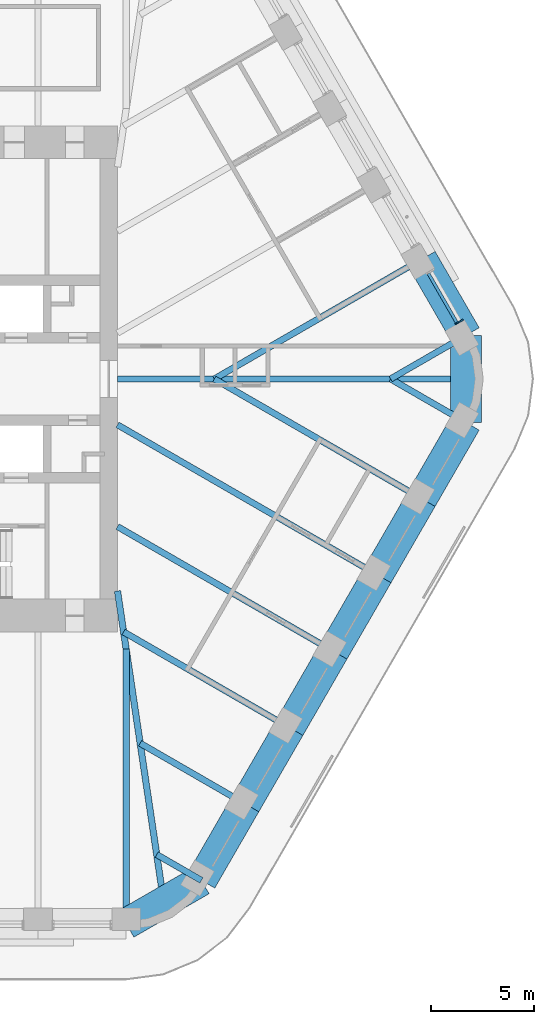
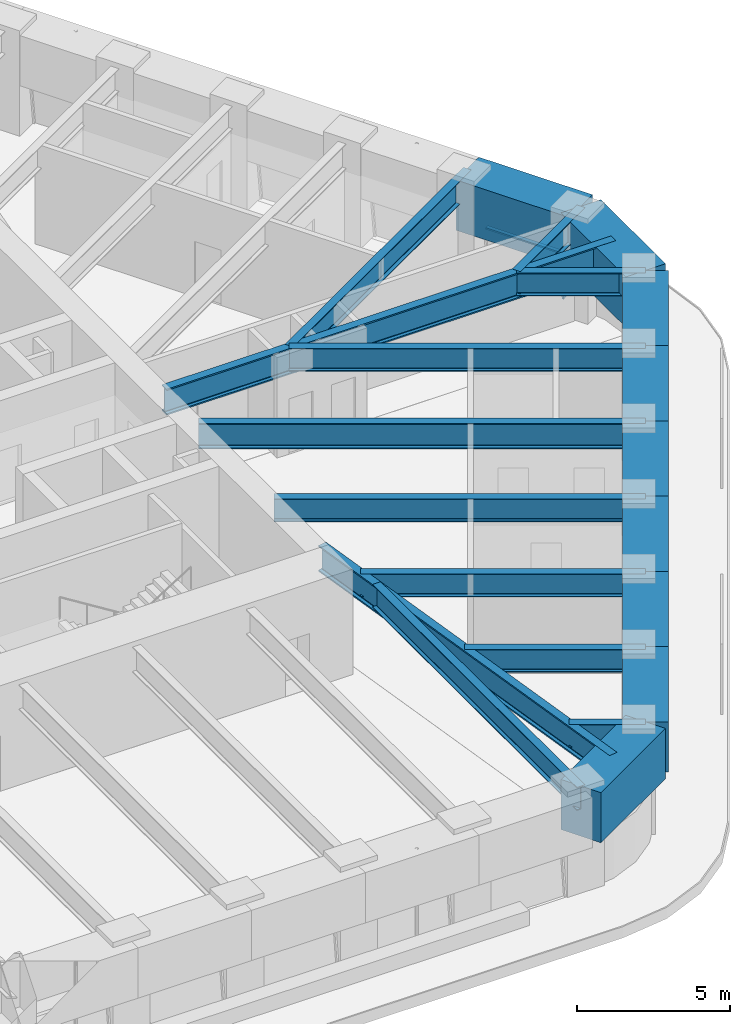
# One storey, part 5 of 18: 21 beams, 2 members, 1 element without a shape of its own.
"""IFC4 building model written with IfcOpenShell, lengths in metres."""

from ifc_helpers import new_model, si_unit, direction, frame, origin, origin_2d, place, context, subcontext, project, spatial, rectangle, i_section, extrude, material, material_profile, profile_set, type_object, element, aggregate, save


model = new_model("IFC4")

# Units and contexts
model_context = context("Model", 3, precision=1e-05, world=origin(), true_north=direction((0.0, 1.0)))
body_context = subcontext(model_context, "Body", "Model", "MODEL_VIEW")
ifc_project = project(units=[si_unit("LENGTHUNIT", "METRE"), si_unit("AREAUNIT", "SQUARE_METRE"), si_unit("VOLUMEUNIT", "CUBIC_METRE"), si_unit("PLANEANGLEUNIT", "RADIAN"), si_unit("MASSUNIT", "GRAM", prefix="KILO")], contexts=[model_context])

# Site, building, storey
site_placement = place(None, origin())
site = spatial("IfcSite", under=ifc_project, at=site_placement, CompositionType="ELEMENT")
building_placement = place(site_placement, origin())
building = spatial("IfcBuilding", under=site, at=building_placement, Name="Tarfa Lantern Tower", CompositionType="ELEMENT")
storey_placement = place(building_placement, frame((0.0, 0.0, 319.89990234375)))
storey = spatial("IfcBuildingStorey", under=building, at=storey_placement, Name="L72", CompositionType="ELEMENT", Elevation=319.89990234375)

# Curtain wall, members
ifc_material_1 = material(Name="Aluminium framed curtain wall", Category="aluminium")
curtain_wall_type = type_object("IfcCurtainWallType", Name="CW4 CANTED GLAZING EXECUTIVE ZONE 2000", PredefinedType="USERDEFINED", material=ifc_material_1)
curtain_wall_placement = place(storey_placement, origin())
curtain_wall = element("IfcCurtainWall", 1, at=curtain_wall_placement, inside=storey, type_object=curtain_wall_type, Name="CW4 NE L72", ObjectType="CURTAIN WALL", PredefinedType="USERDEFINED")
ifc_material_2 = material(Name="Aluminium mullion", Category="aluminium")
ifc_material_profile_1 = material_profile(ifc_material_2, rectangle(XDim=0.06494140625, YDim=0.199951171875, at=origin_2d()), Name="AL MULLION 65x200")
ifc_profile_set_1 = profile_set([ifc_material_profile_1], Name="Aluminium mullion")
member_type_1 = type_object("IfcMemberType", Name="CWM1 MULLION 65x200", PredefinedType="MULLION", material=ifc_profile_set_1)
member_1_placement = place(storey_placement, frame((29.13623046875, 2.83447265625, 0.0), z_axis=(-0.107320246625, -0.062018020623, 0.992288329964), x_axis=(0.500342721131, -0.865827443207, 0.0)))
member_1 = element("IfcMember", 2, at=member_1_placement, type_object=member_type_1, Name="CW4 mullion 1", PredefinedType="MULLION", context=body_context, shape_type="SweptSolid", body=[
    extrude(rectangle(XDim=0.06494140625, YDim=0.199951171875, at=origin_2d()), origin(), (0.0, 0.0, 1.0), 2.015625),
])
ifc_material_3 = material(Name="Aluminium transom", Category="aluminium")
ifc_material_profile_2 = material_profile(ifc_material_3, rectangle(XDim=0.14990234375, YDim=0.06494140625, at=origin_2d()), Name="AL TRANSOM 150x65")
ifc_profile_set_2 = profile_set([ifc_material_profile_2], Name="Aluminium transom")
member_type_2 = type_object("IfcMemberType", Name="CWT1 TRANSOM 150x65", PredefinedType="USERDEFINED", material=ifc_profile_set_2)
member_2_placement = place(storey_placement, frame((28.9072265625, 2.739501953125, 1.967529296875), z_axis=(-0.500060322201, 0.865990573944, 0.0), x_axis=(-0.865990573944, -0.500060322201, 0.0)))
member_2 = element("IfcMember", 3, at=member_2_placement, type_object=member_type_2, Name="CW4 transom 1.2", ObjectType="TRANSOM", PredefinedType="USERDEFINED", context=body_context, shape_type="SweptSolid", body=[
    extrude(rectangle(XDim=0.14990234375, YDim=0.06494140625, at=origin_2d()), origin(), (0.0, 0.0, 1.0), 2.752197265625),
])
aggregate(curtain_wall, [member_1, member_2])

# Beams
ifc_material_4 = material(Name="Concrete C80/95", Category="concrete")
ifc_material_profile_3 = material_profile(ifc_material_4, rectangle(XDim=1.5, YDim=2.0, at=origin_2d()), Name="RC 1500x2000")
ifc_profile_set_3 = profile_set([ifc_material_profile_3], Name="Concrete C80/95")
beam_type_1 = type_object("IfcBeamType", Name="RB3 RC 1500x2000", PredefinedType="BEAM", material=ifc_profile_set_3)
beam_1_placement = place(storey_placement, frame((29.3466796875, 2.110107421875, 3.0), z_axis=(-0.499984039138, 0.866034618596, 0.0), x_axis=(-0.866034618596, -0.499984039138, 0.0)))
element("IfcBeam", 4, at=beam_1_placement, inside=storey, type_object=beam_type_1, Name="Edge beam NE0", PredefinedType="BEAM", context=body_context, shape_type="SweptSolid", body=[
    extrude(rectangle(XDim=1.5, YDim=2.0, at=origin_2d()), origin(), (0.0, 0.0, 1.0), 4.281982421875),
])
beam_2_placement = place(storey_placement, frame((12.845947265625, -26.469970703125, 3.0), z_axis=(0.866048788483, 0.499959494327, 0.0), x_axis=(-0.499959494327, 0.866048788483, 0.0)))
element("IfcBeam", 5, at=beam_2_placement, inside=storey, type_object=beam_type_1, Name="Edge beam S6", PredefinedType="BEAM", context=body_context, shape_type="SweptSolid", body=[
    extrude(rectangle(XDim=1.5, YDim=2.0, at=origin_2d()), origin(), (0.0, 0.0, 1.0), 4.219970703125),
])
for number, where, z_axis, x_axis, name in (
    (6, (16.500732421875, -24.360107421875, 3.0), (0.499959351497, 0.866048870937, 0.0), (-0.866048870937, 0.499959351497, 0.0), "Edge beam SE0"),
    (7, (18.6416015625, -20.651611328125, 3.0), (0.500026801138, 0.866009929587, 0.0), (-0.866009929587, 0.500026801138, 0.0), "Edge beam SE1"),
    (8, (20.78271484375, -16.943359375, 3.0), (0.499984039138, 0.866034618596, 0.0), (-0.866034618596, 0.499984039138, 0.0), "Edge beam SE2"),
):
    element("IfcBeam", number, at=place(storey_placement, frame(where, z_axis=z_axis, x_axis=x_axis)), inside=storey, type_object=beam_type_1, Name=name, PredefinedType="BEAM", context=body_context, shape_type="SweptSolid", body=[
        extrude(rectangle(XDim=1.5, YDim=2.0, at=origin_2d()), origin(), (0.0, 0.0, 1.0), 4.281982421875),
    ])
beam_3_placement = place(storey_placement, frame((22.923583984375, -13.235107421875, 3.0), z_axis=(0.500002112793, 0.866024183959, 0.0), x_axis=(-0.866024183959, 0.500002112793, 0.0)))
element("IfcBeam", 9, at=beam_3_placement, inside=storey, type_object=beam_type_1, Name="Edge beam SE3", PredefinedType="BEAM", context=body_context, shape_type="SweptSolid", body=[
    extrude(rectangle(XDim=1.5, YDim=2.0, at=origin_2d()), origin(), (0.0, 0.0, 1.0), 4.2822265625),
])
for number, where, z_axis, x_axis, name in (
    (10, (25.064697265625, -9.526611328125, 3.0), (0.500026801138, 0.866009929587, 0.0), (-0.866009929587, 0.500026801138, 0.0), "Edge beam SE4"),
    (11, (27.205810546875, -5.818359375, 3.0), (0.499984039138, 0.866034618596, 0.0), (-0.866034618596, 0.499984039138, 0.0), "Edge beam SE5"),
):
    element("IfcBeam", number, at=place(storey_placement, frame(where, z_axis=z_axis, x_axis=x_axis)), inside=storey, type_object=beam_type_1, Name=name, PredefinedType="BEAM", context=body_context, shape_type="SweptSolid", body=[
        extrude(rectangle(XDim=1.5, YDim=2.0, at=origin_2d()), origin(), (0.0, 0.0, 1.0), 4.281982421875),
    ])
beam_4_placement = place(storey_placement, frame((29.3466796875, -2.110107421875, 3.0), z_axis=(0.0, 1.0, 0.0), x_axis=(-1.0, 0.0, 0.0)))
element("IfcBeam", 12, at=beam_4_placement, inside=storey, type_object=beam_type_1, Name="Edge beam SE6", PredefinedType="BEAM", context=body_context, shape_type="SweptSolid", body=[
    extrude(rectangle(XDim=1.5, YDim=2.0, at=origin_2d()), origin(), (0.0, 0.0, 1.0), 4.22021484375),
])
ifc_material_5 = material(Name="Steel S460M", Category="steel")
ifc_material_profile_4 = material_profile(ifc_material_5, i_section(OverallWidth=0.302001953125, OverallDepth=1.008056640625, WebThickness=0.02099609375, FlangeThickness=0.0400390625, FilletRadius=0.030029296875, at=origin_2d()), Name="UB1016x305x349")
ifc_profile_set_4 = profile_set([ifc_material_profile_4], Name="Steel S460M")
beam_type_2 = type_object("IfcBeamType", Name="UB1016x305x349", PredefinedType="BEAM", material=ifc_profile_set_4)
beam_5_placement = place(storey_placement, frame((25.064697265625, -9.526611328125, 3.49609375), z_axis=(-0.866029591389, 0.499992746786, 0.0), x_axis=(-0.499992746786, -0.866029591389, 0.0)))
element("IfcBeam", 13, at=beam_5_placement, inside=storey, type_object=beam_type_2, Name="Floor beam SE4", PredefinedType="BEAM", context=body_context, shape_type="SweptSolid", body=[
    extrude(i_section(OverallWidth=0.302001953125, OverallDepth=1.008056640625, WebThickness=0.02099609375, FlangeThickness=0.0400390625, FilletRadius=0.030029296875, at=origin_2d()), origin(), (0.0, 0.0, 1.0), 14.594970703125),
])
ifc_material_profile_5 = material_profile(ifc_material_5, i_section(OverallWidth=0.30859375, OverallDepth=1.036376953125, WebThickness=0.030029296875, FlangeThickness=0.05419921875, FilletRadius=0.030029296875, at=origin_2d()), Name="UB1016x305x487")
ifc_profile_set_5 = profile_set([ifc_material_profile_5], Name="Steel S460M")
beam_type_3 = type_object("IfcBeamType", Name="UB1016x305x487", PredefinedType="BEAM", material=ifc_profile_set_5)
beam_6_placement = place(storey_placement, frame((12.425048828125, 0.0, 3.48193359375), z_axis=(1.0, 0.0, 0.0), x_axis=(0.0, 1.0, 0.0)))
element("IfcBeam", 14, at=beam_6_placement, inside=storey, type_object=beam_type_3, Name="Hip girder E", PredefinedType="BEAM", context=body_context, shape_type="SweptSolid", body=[
    extrude(i_section(OverallWidth=0.30859375, OverallDepth=1.036376953125, WebThickness=0.030029296875, FlangeThickness=0.05419921875, FilletRadius=0.030029296875, at=origin_2d()), origin(), (0.0, 0.0, 1.0), 16.921630859375),
])
beam_7_placement = place(storey_placement, frame((12.425048828125, -10.300048828125, 3.48193359375), z_axis=(0.147127069073, -0.989117599452, 0.0), x_axis=(0.989117599452, 0.147127069073, 0.0)))
element("IfcBeam", 15, at=beam_7_placement, inside=storey, type_object=beam_type_3, Name="Hip girder SE", PredefinedType="BEAM", context=body_context, shape_type="SweptSolid", body=[
    extrude(i_section(OverallWidth=0.30859375, OverallDepth=1.036376953125, WebThickness=0.030029296875, FlangeThickness=0.05419921875, FilletRadius=0.030029296875, at=origin_2d()), origin(), (0.0, 0.0, 1.0), 15.28125),
])
ifc_material_profile_6 = material_profile(ifc_material_5, i_section(OverallWidth=0.305419921875, OverallDepth=0.91845703125, WebThickness=0.017333984375, FlangeThickness=0.02783203125, FilletRadius=0.01904296875, at=origin_2d()), Name="UB914x305x253")
ifc_profile_set_6 = profile_set([ifc_material_profile_6], Name="Steel S460M")
beam_type_4 = type_object("IfcBeamType", Name="UB914x305x253", PredefinedType="BEAM", material=ifc_profile_set_6)
beam_8_placement = place(storey_placement, frame((29.3466796875, 2.110107421875, 3.541015625), z_axis=(-0.866009274789, -0.500027935199, 0.0), x_axis=(0.500027935199, -0.866009274789, 0.0)))
element("IfcBeam", 16, at=beam_8_placement, inside=storey, type_object=beam_type_4, Name="Floor beam NE0", PredefinedType="BEAM", context=body_context, shape_type="SweptSolid", body=[
    extrude(i_section(OverallWidth=0.305419921875, OverallDepth=0.91845703125, WebThickness=0.017333984375, FlangeThickness=0.02783203125, FilletRadius=0.01904296875, at=origin_2d()), origin(), (0.0, 0.0, 1.0), 4.219970703125),
])
beam_9_placement = place(storey_placement, frame((27.205810546875, 5.818359375, 3.541015625), z_axis=(-0.866024171998, -0.500002133511, 0.0), x_axis=(0.500002133511, -0.866024171998, 0.0)))
element("IfcBeam", 17, at=beam_9_placement, inside=storey, type_object=beam_type_4, Name="Floor beam NE1", PredefinedType="BEAM", context=body_context, shape_type="SweptSolid", body=[
    extrude(i_section(OverallWidth=0.305419921875, OverallDepth=0.91845703125, WebThickness=0.017333984375, FlangeThickness=0.02783203125, FilletRadius=0.01904296875, at=origin_2d()), origin(), (0.0, 0.0, 1.0), 11.63671875),
])
beam_10_placement = place(storey_placement, frame((12.845947265625, -26.469970703125, 3.541015625), z_axis=(0.0, 1.0, 0.0), x_axis=(-1.0, 0.0, 0.0)))
element("IfcBeam", 18, at=beam_10_placement, inside=storey, type_object=beam_type_4, Name="Floor beam S6", PredefinedType="BEAM", context=body_context, shape_type="SweptSolid", body=[
    extrude(i_section(OverallWidth=0.305419921875, OverallDepth=0.91845703125, WebThickness=0.017333984375, FlangeThickness=0.02783203125, FilletRadius=0.01904296875, at=origin_2d()), origin(), (0.0, 0.0, 1.0), 13.33935546875),
])
beam_11_placement = place(storey_placement, frame((16.500732421875, -24.360107421875, 3.541015625), z_axis=(-0.865992557167, 0.500056887695, 0.0), x_axis=(-0.500056887695, -0.865992557167, 0.0)))
element("IfcBeam", 19, at=beam_11_placement, inside=storey, type_object=beam_type_4, Name="Floor beam SE0", PredefinedType="BEAM", context=body_context, shape_type="SweptSolid", body=[
    extrude(i_section(OverallWidth=0.305419921875, OverallDepth=0.91845703125, WebThickness=0.017333984375, FlangeThickness=0.02783203125, FilletRadius=0.01904296875, at=origin_2d()), origin(), (0.0, 0.0, 1.0), 2.506591796875),
])
beam_12_placement = place(storey_placement, frame((18.6416015625, -20.651611328125, 3.541015625), z_axis=(-0.866024549157, 0.500001480256, 0.0), x_axis=(-0.500001480256, -0.866024549157, 0.0)))
element("IfcBeam", 20, at=beam_12_placement, inside=storey, type_object=beam_type_4, Name="Floor beam SE1", PredefinedType="BEAM", context=body_context, shape_type="SweptSolid", body=[
    extrude(i_section(OverallWidth=0.305419921875, OverallDepth=0.91845703125, WebThickness=0.017333984375, FlangeThickness=0.02783203125, FilletRadius=0.01904296875, at=origin_2d()), origin(), (0.0, 0.0, 1.0), 5.90771484375),
])
beam_13_placement = place(storey_placement, frame((20.78271484375, -16.943359375, 3.541015625), z_axis=(-0.866021806508, 0.500006230613, 0.0), x_axis=(-0.500006230613, -0.866021806508, 0.0)))
element("IfcBeam", 21, at=beam_13_placement, inside=storey, type_object=beam_type_4, Name="Floor beam SE2", PredefinedType="BEAM", context=body_context, shape_type="SweptSolid", body=[
    extrude(i_section(OverallWidth=0.305419921875, OverallDepth=0.91845703125, WebThickness=0.017333984375, FlangeThickness=0.02783203125, FilletRadius=0.01904296875, at=origin_2d()), origin(), (0.0, 0.0, 1.0), 9.30908203125),
])
beam_14_placement = place(storey_placement, frame((22.923583984375, -13.235107421875, 3.541015625), z_axis=(-0.86601856927, 0.500011837539, 0.0), x_axis=(-0.500011837539, -0.86601856927, 0.0)))
element("IfcBeam", 22, at=beam_14_placement, inside=storey, type_object=beam_type_4, Name="Floor beam SE3", PredefinedType="BEAM", context=body_context, shape_type="SweptSolid", body=[
    extrude(i_section(OverallWidth=0.305419921875, OverallDepth=0.91845703125, WebThickness=0.017333984375, FlangeThickness=0.02783203125, FilletRadius=0.01904296875, at=origin_2d()), origin(), (0.0, 0.0, 1.0), 12.122802734375),
])
beam_15_placement = place(storey_placement, frame((27.205810546875, -5.818359375, 3.541015625), z_axis=(-0.866024171998, 0.500002133511, 0.0), x_axis=(-0.500002133511, -0.866024171998, 0.0)))
element("IfcBeam", 23, at=beam_15_placement, inside=storey, type_object=beam_type_4, Name="Floor beam SE5", PredefinedType="BEAM", context=body_context, shape_type="SweptSolid", body=[
    extrude(i_section(OverallWidth=0.305419921875, OverallDepth=0.91845703125, WebThickness=0.017333984375, FlangeThickness=0.02783203125, FilletRadius=0.01904296875, at=origin_2d()), origin(), (0.0, 0.0, 1.0), 11.63671875),
])
beam_16_placement = place(storey_placement, frame((29.3466796875, -2.110107421875, 3.541015625), z_axis=(-0.866009274789, 0.500027935199, 0.0), x_axis=(-0.500027935199, -0.866009274789, 0.0)))
element("IfcBeam", 24, at=beam_16_placement, inside=storey, type_object=beam_type_4, Name="Floor beam SE6", PredefinedType="BEAM", context=body_context, shape_type="SweptSolid", body=[
    extrude(i_section(OverallWidth=0.305419921875, OverallDepth=0.91845703125, WebThickness=0.017333984375, FlangeThickness=0.02783203125, FilletRadius=0.01904296875, at=origin_2d()), origin(), (0.0, 0.0, 1.0), 4.219970703125),
])

save(model, "model.ifc")
